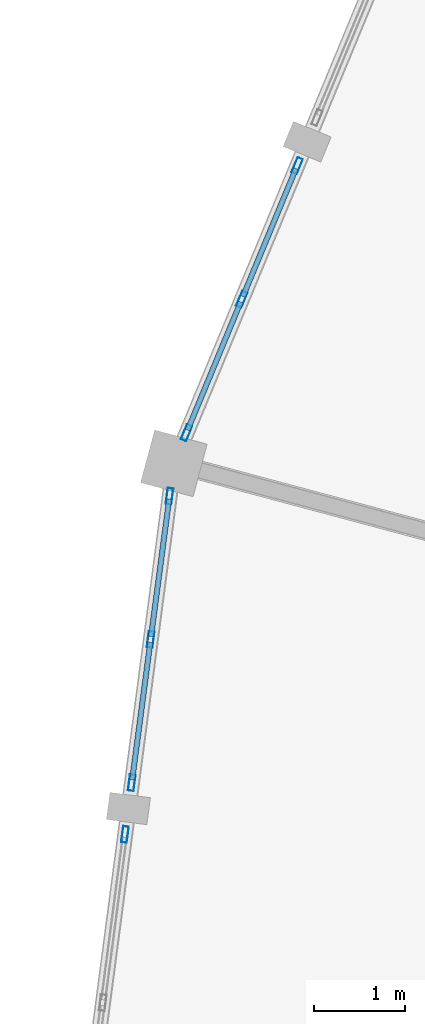
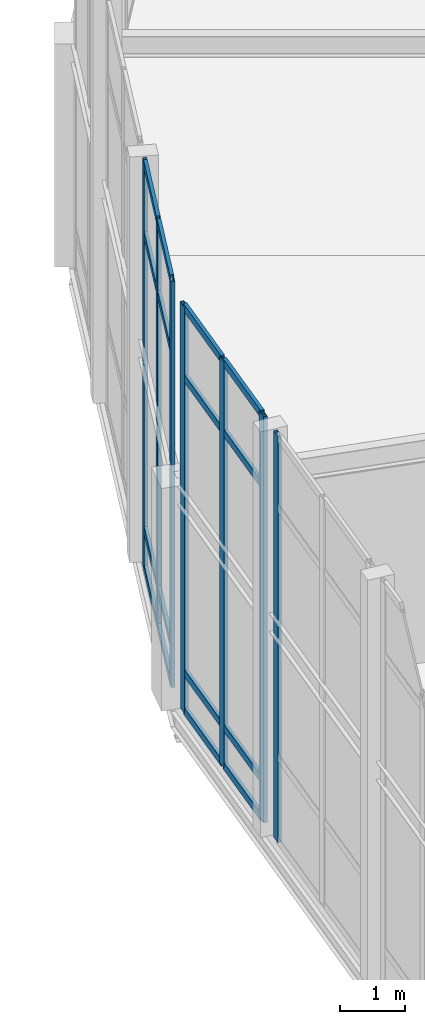
# One storey, part 62 of 200: 23 members, 3 elements without a shape of their own.
"""IFC4 building model written with IfcOpenShell, lengths in metres."""

from ifc_helpers import new_model, si_unit, direction, frame, origin, origin_2d, place, context, subcontext, project, spatial, hollow_rectangle, extrude, material, material_profile, profile_set, type_object, element, aggregate, save


model = new_model("IFC4")

# Units and contexts
model_context = context("Model", 3, precision=1e-05, world=origin(), true_north=direction((0.0, 1.0)))
body_context = subcontext(model_context, "Body", "Model", "MODEL_VIEW")
ifc_project = project(units=[si_unit("LENGTHUNIT", "METRE"), si_unit("AREAUNIT", "SQUARE_METRE"), si_unit("VOLUMEUNIT", "CUBIC_METRE"), si_unit("PLANEANGLEUNIT", "RADIAN"), si_unit("MASSUNIT", "GRAM", prefix="KILO")], contexts=[model_context])

# Site, building, storey
site_placement = place(None, origin())
site = spatial("IfcSite", under=ifc_project, at=site_placement, CompositionType="ELEMENT")
building_placement = place(site_placement, origin())
building = spatial("IfcBuilding", under=site, at=building_placement, Name="Vondelvale Polytechnic", CompositionType="ELEMENT")
storey_placement = place(building_placement, frame((0.0, 0.0, 13.800048828125)))
storey = spatial("IfcBuildingStorey", under=building, at=storey_placement, Name="L03", CompositionType="ELEMENT", Elevation=13.800048828125)

# Curtain wall, members
ifc_material_1 = material(Name="Glulam GL18 structural Tasmanian oak (fb = 42 MPa)", Category="wood")
curtain_wall_type = type_object("IfcCurtainWallType", Name="CW-RING-OUTER", PredefinedType="NOTDEFINED", material=ifc_material_1)
curtain_wall_1_placement = place(storey_placement, origin())
curtain_wall_1 = element("IfcCurtainWall", 1, at=curtain_wall_1_placement, inside=storey, type_object=curtain_wall_type, Name="L03 architectural curtain wall CW-04-240", PredefinedType="NOTDEFINED")
ifc_material_2 = material(Name="Anodised extruded aluminium 6063-T6", Category="aluminium")
ifc_material_profile_1 = material_profile(ifc_material_2, hollow_rectangle(XDim=0.06494140625, YDim=0.179931640625, WallThickness=0.00390625, at=origin_2d()), Name="CW-MUL-180x65")
ifc_profile_set_1 = profile_set([ifc_material_profile_1], Name="Anodised extruded aluminium 6063-T6")
member_type_1 = type_object("IfcMemberType", Name="CW-MUL-65x180", PredefinedType="MULLION", material=ifc_profile_set_1)
member_1_placement = place(storey_placement, frame((58.927978515625, 87.190185546875, 0.0), z_axis=(0.0, 0.0, 1.0), x_axis=(0.923882033442, -0.382677394529, 0.0)))
member_1 = element("IfcMember", 2, at=member_1_placement, type_object=member_type_1, Name="CW-04-240 mullion 1", PredefinedType="MULLION", context=body_context, shape_type="SweptSolid", body=[
    extrude(hollow_rectangle(XDim=0.06494140625, YDim=0.179931640625, WallThickness=0.00390625, at=origin_2d()), origin(), (0.0, 0.0, 1.0), 7.661376953125),
])
member_2_placement = place(storey_placement, frame((58.3173828125, 85.716796875, 0.0), z_axis=(0.0, 0.0, 1.0), x_axis=(0.923882033442, -0.382677394529, 0.0)))
member_2 = element("IfcMember", 3, at=member_2_placement, type_object=member_type_1, Name="CW-04-240 mullion 2", PredefinedType="MULLION", context=body_context, shape_type="SweptSolid", body=[
    extrude(hollow_rectangle(XDim=0.06494140625, YDim=0.179931640625, WallThickness=0.00390625, at=origin_2d()), origin(), (0.0, 0.0, 1.0), 7.661376953125),
])
member_3_placement = place(storey_placement, frame((57.70703125, 84.2431640625, 0.0), z_axis=(0.0, 0.0, 1.0), x_axis=(0.923882033442, -0.382677394529, 0.0)))
member_3 = element("IfcMember", 4, at=member_3_placement, type_object=member_type_1, Name="CW-04-240 mullion 3", PredefinedType="MULLION", context=body_context, shape_type="SweptSolid", body=[
    extrude(hollow_rectangle(XDim=0.06494140625, YDim=0.179931640625, WallThickness=0.00390625, at=origin_2d()), origin(), (0.0, 0.0, 1.0), 7.661376953125),
])

curtain_wall_2_placement = place(storey_placement, origin())
curtain_wall_2 = element("IfcCurtainWall", 5, at=curtain_wall_2_placement, inside=storey, type_object=curtain_wall_type, Name="L03 architectural curtain wall CW-04-253", PredefinedType="NOTDEFINED")
member_4_placement = place(storey_placement, frame((57.519775390625, 83.54345703125, 0.0), z_axis=(0.0, 0.0, 1.0), x_axis=(0.991443102996, -0.130539547729, 0.0)))
member_4 = element("IfcMember", 6, at=member_4_placement, type_object=member_type_1, Name="CW-04-253 mullion 1", PredefinedType="MULLION", context=body_context, shape_type="SweptSolid", body=[
    extrude(hollow_rectangle(XDim=0.06494140625, YDim=0.179931640625, WallThickness=0.00390625, at=origin_2d()), origin(), (0.0, 0.0, 1.0), 7.661376953125),
])
member_5_placement = place(storey_placement, frame((57.3115234375, 81.962158203125, 0.0), z_axis=(0.0, 0.0, 1.0), x_axis=(0.991443102996, -0.130539547729, 0.0)))
member_5 = element("IfcMember", 7, at=member_5_placement, type_object=member_type_1, Name="CW-04-253 mullion 2", PredefinedType="MULLION", context=body_context, shape_type="SweptSolid", body=[
    extrude(hollow_rectangle(XDim=0.06494140625, YDim=0.179931640625, WallThickness=0.00390625, at=origin_2d()), origin(), (0.0, 0.0, 1.0), 7.661376953125),
])
member_6_placement = place(storey_placement, frame((57.103271484375, 80.380859375, 0.0), z_axis=(0.0, 0.0, 1.0), x_axis=(0.991443102996, -0.130539547729, 0.0)))
member_6 = element("IfcMember", 8, at=member_6_placement, type_object=member_type_1, Name="CW-04-253 mullion 3", PredefinedType="MULLION", context=body_context, shape_type="SweptSolid", body=[
    extrude(hollow_rectangle(XDim=0.06494140625, YDim=0.179931640625, WallThickness=0.00390625, at=origin_2d()), origin(), (0.0, 0.0, 1.0), 7.661376953125),
])

# Curtain wall, member
curtain_wall_3_placement = place(storey_placement, origin())
curtain_wall_3 = element("IfcCurtainWall", 9, at=curtain_wall_3_placement, inside=storey, type_object=curtain_wall_type, Name="L03 architectural curtain wall CW-04-254", PredefinedType="NOTDEFINED")
member_7_placement = place(storey_placement, frame((57.0283203125, 79.810791015625, 0.0), z_axis=(0.0, 0.0, 1.0), x_axis=(0.991448671082, -0.130497251349, 0.0)))
member_7 = element("IfcMember", 10, at=member_7_placement, type_object=member_type_1, Name="CW-04-254 mullion 1", PredefinedType="MULLION", context=body_context, shape_type="SweptSolid", body=[
    extrude(hollow_rectangle(XDim=0.06494140625, YDim=0.179931640625, WallThickness=0.00390625, at=origin_2d()), origin(), (0.0, 0.0, 1.0), 7.661376953125),
])
aggregate(curtain_wall_3, [member_7])

# Member
ifc_material_profile_2 = material_profile(ifc_material_2, hollow_rectangle(XDim=0.06005859375, YDim=0.139892578125, WallThickness=0.00341796875, at=origin_2d()), Name="CW-TRN-140x60")
ifc_profile_set_2 = profile_set([ifc_material_profile_2], Name="Anodised extruded aluminium 6063-T6")
member_type_2 = type_object("IfcMemberType", Name="CW-TRN-60x140", PredefinedType="USERDEFINED", material=ifc_profile_set_2)
member_8_placement = place(storey_placement, frame((58.91552734375, 87.16015625, 0.030029296875), z_axis=(-0.382835668721, -0.923816459452, 0.0), x_axis=(0.923816459452, -0.382835668721, 0.0)))
member_8 = element("IfcMember", 11, at=member_8_placement, type_object=member_type_2, Name="CW-04-240 transom 1.1", ObjectType="TRANSOM", PredefinedType="USERDEFINED", context=body_context, shape_type="SweptSolid", body=[
    extrude(hollow_rectangle(XDim=0.06005859375, YDim=0.139892578125, WallThickness=0.00341796875, at=origin_2d()), origin(), (0.0, 0.0, 1.0), 1.52978515625),
])

member_9_placement = place(storey_placement, frame((58.91552734375, 87.16015625, 0.75), z_axis=(-0.382835668721, -0.923816459452, 0.0), x_axis=(0.923816459452, -0.382835668721, 0.0)))
member_9 = element("IfcMember", 12, at=member_9_placement, type_object=member_type_2, Name="CW-04-240 transom 1.2", ObjectType="TRANSOM", PredefinedType="USERDEFINED", context=body_context, shape_type="SweptSolid", body=[
    extrude(hollow_rectangle(XDim=0.06005859375, YDim=0.139892578125, WallThickness=0.00341796875, at=origin_2d()), origin(), (0.0, 0.0, 1.0), 1.52978515625),
])

member_10_placement = place(storey_placement, frame((58.91552734375, 87.16015625, 6.311279296875), z_axis=(-0.382835668721, -0.923816459452, 0.0), x_axis=(0.923816459452, -0.382835668721, 0.0)))
member_10 = element("IfcMember", 13, at=member_10_placement, type_object=member_type_2, Name="CW-04-240 transom 1.3", ObjectType="TRANSOM", PredefinedType="USERDEFINED", context=body_context, shape_type="SweptSolid", body=[
    extrude(hollow_rectangle(XDim=0.06005859375, YDim=0.139892578125, WallThickness=0.00341796875, at=origin_2d()), origin(), (0.0, 0.0, 1.0), 1.52978515625),
])

member_11_placement = place(storey_placement, frame((58.91552734375, 87.16015625, 7.63134765625), z_axis=(-0.382835668721, -0.923816459452, 0.0), x_axis=(0.923816459452, -0.382835668721, 0.0)))
member_11 = element("IfcMember", 14, at=member_11_placement, type_object=member_type_2, Name="CW-04-240 transom 1.4", ObjectType="TRANSOM", PredefinedType="USERDEFINED", context=body_context, shape_type="SweptSolid", body=[
    extrude(hollow_rectangle(XDim=0.06005859375, YDim=0.139892578125, WallThickness=0.00341796875, at=origin_2d()), origin(), (0.0, 0.0, 1.0), 1.52978515625),
])

member_12_placement = place(storey_placement, frame((58.30517578125, 85.686767578125, 0.030029296875), z_axis=(-0.382779237206, -0.923839843027, 0.0), x_axis=(0.923839843027, -0.382779237206, 0.0)))
member_12 = element("IfcMember", 15, at=member_12_placement, type_object=member_type_2, Name="CW-04-240 transom 2.1", ObjectType="TRANSOM", PredefinedType="USERDEFINED", context=body_context, shape_type="SweptSolid", body=[
    extrude(hollow_rectangle(XDim=0.06005859375, YDim=0.139892578125, WallThickness=0.00341796875, at=origin_2d()), origin(), (0.0, 0.0, 1.0), 1.530029296875),
])

member_13_placement = place(storey_placement, frame((58.30517578125, 85.686767578125, 0.75), z_axis=(-0.382779237206, -0.923839843027, 0.0), x_axis=(0.923839843027, -0.382779237206, 0.0)))
member_13 = element("IfcMember", 16, at=member_13_placement, type_object=member_type_2, Name="CW-04-240 transom 2.2", ObjectType="TRANSOM", PredefinedType="USERDEFINED", context=body_context, shape_type="SweptSolid", body=[
    extrude(hollow_rectangle(XDim=0.06005859375, YDim=0.139892578125, WallThickness=0.00341796875, at=origin_2d()), origin(), (0.0, 0.0, 1.0), 1.530029296875),
])

member_14_placement = place(storey_placement, frame((58.30517578125, 85.686767578125, 6.311279296875), z_axis=(-0.382779237206, -0.923839843027, 0.0), x_axis=(0.923839843027, -0.382779237206, 0.0)))
member_14 = element("IfcMember", 17, at=member_14_placement, type_object=member_type_2, Name="CW-04-240 transom 2.3", ObjectType="TRANSOM", PredefinedType="USERDEFINED", context=body_context, shape_type="SweptSolid", body=[
    extrude(hollow_rectangle(XDim=0.06005859375, YDim=0.139892578125, WallThickness=0.00341796875, at=origin_2d()), origin(), (0.0, 0.0, 1.0), 1.530029296875),
])

member_15_placement = place(storey_placement, frame((58.30517578125, 85.686767578125, 7.63134765625), z_axis=(-0.382779237206, -0.923839843027, 0.0), x_axis=(0.923839843027, -0.382779237206, 0.0)))
member_15 = element("IfcMember", 18, at=member_15_placement, type_object=member_type_2, Name="CW-04-240 transom 2.4", ObjectType="TRANSOM", PredefinedType="USERDEFINED", context=body_context, shape_type="SweptSolid", body=[
    extrude(hollow_rectangle(XDim=0.06005859375, YDim=0.139892578125, WallThickness=0.00341796875, at=origin_2d()), origin(), (0.0, 0.0, 1.0), 1.530029296875),
])

aggregate(curtain_wall_1, [member_1, member_2, member_3, member_8, member_9, member_10, member_11, member_12, member_13, member_14, member_15])

member_16_placement = place(storey_placement, frame((57.515625, 83.511474609375, 0.030029296875), z_axis=(-0.13066912162, -0.99142603388, 0.0), x_axis=(0.99142603388, -0.13066912162, 0.0)))
member_16 = element("IfcMember", 19, at=member_16_placement, type_object=member_type_2, Name="CW-04-253 transom 1.1", ObjectType="TRANSOM", PredefinedType="USERDEFINED", context=body_context, shape_type="SweptSolid", body=[
    extrude(hollow_rectangle(XDim=0.06005859375, YDim=0.139892578125, WallThickness=0.00341796875, at=origin_2d()), origin(), (0.0, 0.0, 1.0), 1.5302734375),
])

member_17_placement = place(storey_placement, frame((57.515625, 83.511474609375, 0.75), z_axis=(-0.13066912162, -0.99142603388, 0.0), x_axis=(0.99142603388, -0.13066912162, 0.0)))
member_17 = element("IfcMember", 20, at=member_17_placement, type_object=member_type_2, Name="CW-04-253 transom 1.2", ObjectType="TRANSOM", PredefinedType="USERDEFINED", context=body_context, shape_type="SweptSolid", body=[
    extrude(hollow_rectangle(XDim=0.06005859375, YDim=0.139892578125, WallThickness=0.00341796875, at=origin_2d()), origin(), (0.0, 0.0, 1.0), 1.5302734375),
])

member_18_placement = place(storey_placement, frame((57.515625, 83.511474609375, 6.311279296875), z_axis=(-0.13066912162, -0.99142603388, 0.0), x_axis=(0.99142603388, -0.13066912162, 0.0)))
member_18 = element("IfcMember", 21, at=member_18_placement, type_object=member_type_2, Name="CW-04-253 transom 1.3", ObjectType="TRANSOM", PredefinedType="USERDEFINED", context=body_context, shape_type="SweptSolid", body=[
    extrude(hollow_rectangle(XDim=0.06005859375, YDim=0.139892578125, WallThickness=0.00341796875, at=origin_2d()), origin(), (0.0, 0.0, 1.0), 1.5302734375),
])

member_19_placement = place(storey_placement, frame((57.515625, 83.511474609375, 7.63134765625), z_axis=(-0.13066912162, -0.99142603388, 0.0), x_axis=(0.99142603388, -0.13066912162, 0.0)))
member_19 = element("IfcMember", 22, at=member_19_placement, type_object=member_type_2, Name="CW-04-253 transom 1.4", ObjectType="TRANSOM", PredefinedType="USERDEFINED", context=body_context, shape_type="SweptSolid", body=[
    extrude(hollow_rectangle(XDim=0.06005859375, YDim=0.139892578125, WallThickness=0.00341796875, at=origin_2d()), origin(), (0.0, 0.0, 1.0), 1.5302734375),
])

member_20_placement = place(storey_placement, frame((57.307373046875, 81.929931640625, 0.030029296875), z_axis=(-0.130532942165, -0.991443972703, 0.0), x_axis=(0.991443972703, -0.130532942165, 0.0)))
member_20 = element("IfcMember", 23, at=member_20_placement, type_object=member_type_2, Name="CW-04-253 transom 2.1", ObjectType="TRANSOM", PredefinedType="USERDEFINED", context=body_context, shape_type="SweptSolid", body=[
    extrude(hollow_rectangle(XDim=0.06005859375, YDim=0.139892578125, WallThickness=0.00341796875, at=origin_2d()), origin(), (0.0, 0.0, 1.0), 1.530029296875),
])

member_21_placement = place(storey_placement, frame((57.307373046875, 81.929931640625, 0.75), z_axis=(-0.130532942165, -0.991443972703, 0.0), x_axis=(0.991443972703, -0.130532942165, 0.0)))
member_21 = element("IfcMember", 24, at=member_21_placement, type_object=member_type_2, Name="CW-04-253 transom 2.2", ObjectType="TRANSOM", PredefinedType="USERDEFINED", context=body_context, shape_type="SweptSolid", body=[
    extrude(hollow_rectangle(XDim=0.06005859375, YDim=0.139892578125, WallThickness=0.00341796875, at=origin_2d()), origin(), (0.0, 0.0, 1.0), 1.530029296875),
])

member_22_placement = place(storey_placement, frame((57.307373046875, 81.929931640625, 6.311279296875), z_axis=(-0.130532942165, -0.991443972703, 0.0), x_axis=(0.991443972703, -0.130532942165, 0.0)))
member_22 = element("IfcMember", 25, at=member_22_placement, type_object=member_type_2, Name="CW-04-253 transom 2.3", ObjectType="TRANSOM", PredefinedType="USERDEFINED", context=body_context, shape_type="SweptSolid", body=[
    extrude(hollow_rectangle(XDim=0.06005859375, YDim=0.139892578125, WallThickness=0.00341796875, at=origin_2d()), origin(), (0.0, 0.0, 1.0), 1.530029296875),
])

member_23_placement = place(storey_placement, frame((57.307373046875, 81.929931640625, 7.63134765625), z_axis=(-0.130532942165, -0.991443972703, 0.0), x_axis=(0.991443972703, -0.130532942165, 0.0)))
member_23 = element("IfcMember", 26, at=member_23_placement, type_object=member_type_2, Name="CW-04-253 transom 2.4", ObjectType="TRANSOM", PredefinedType="USERDEFINED", context=body_context, shape_type="SweptSolid", body=[
    extrude(hollow_rectangle(XDim=0.06005859375, YDim=0.139892578125, WallThickness=0.00341796875, at=origin_2d()), origin(), (0.0, 0.0, 1.0), 1.530029296875),
])

aggregate(curtain_wall_2, [member_4, member_5, member_6, member_16, member_17, member_18, member_19, member_20, member_21, member_22, member_23])

save(model, "model.ifc")
